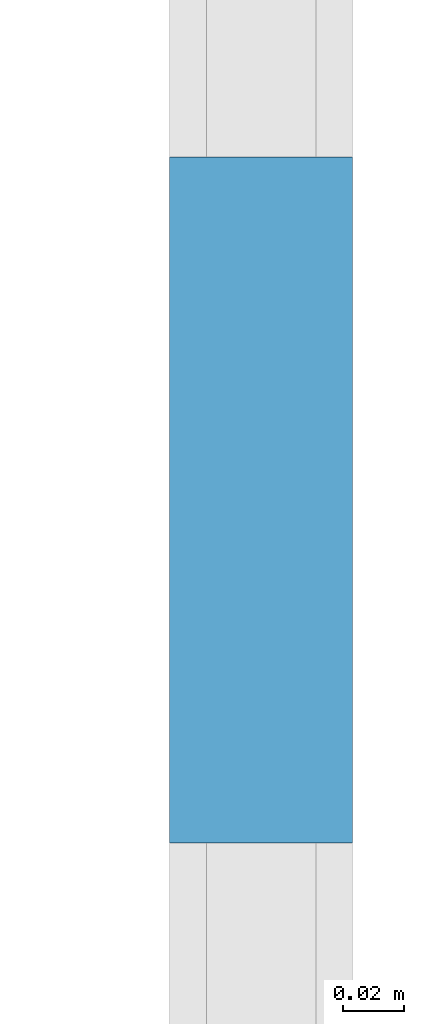
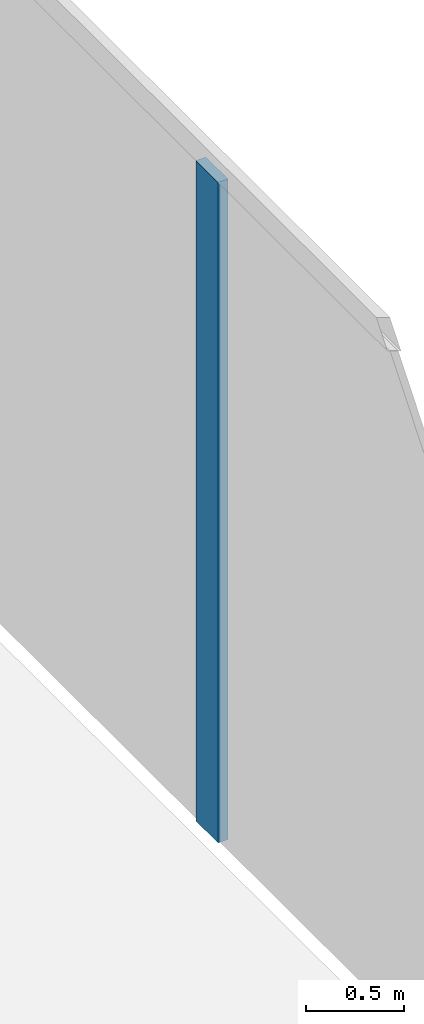
# One storey, part 19 of 47: 1 member, 1 element without a shape of its own.
"""IFC4 building model written with IfcOpenShell, lengths in metres."""

from ifc_helpers import new_model, si_unit, direction, frame, origin, origin_2d, place, context, subcontext, project, spatial, rectangle, extrude, material, layer, layer_set, material_profile, profile_set, type_object, element, aggregate, save


model = new_model("IFC4")

# Units and contexts
model_context = context("Model", 3, precision=1e-05, world=origin(), true_north=direction((0.0, 1.0)))
body_context = subcontext(model_context, "Body", "Model", "MODEL_VIEW")
ifc_project = project(units=[si_unit("LENGTHUNIT", "METRE"), si_unit("AREAUNIT", "SQUARE_METRE"), si_unit("VOLUMEUNIT", "CUBIC_METRE"), si_unit("PLANEANGLEUNIT", "RADIAN"), si_unit("MASSUNIT", "GRAM", prefix="KILO")], contexts=[model_context])

# Site, building, storey
site_placement = place(None, origin())
site = spatial("IfcSite", under=ifc_project, at=site_placement, CompositionType="ELEMENT")
building_placement = place(site_placement, origin())
building = spatial("IfcBuilding", under=site, at=building_placement, Name="Kheshtan School and Residences Tower", CompositionType="ELEMENT")
storey_placement = place(building_placement, frame((0.0, 0.0, 17.0)))
storey = spatial("IfcBuildingStorey", under=building, at=storey_placement, Name="L03", CompositionType="ELEMENT", Elevation=17.0)

# Curtain wall, member
ifc_material_1 = material(Name="Clear low-e glass in thermally broken aluminium frame", Category="aluminium")
ifc_layer = layer(ifc_material_1, 0.22509765625)
ifc_layer_set = layer_set([ifc_layer], Name="Curtain wall CW-P")
curtain_wall_type = type_object("IfcCurtainWallType", Name="Curtain wall CW-P", PredefinedType="NOTDEFINED", material=ifc_layer_set)
curtain_wall_placement = place(storey_placement, origin())
curtain_wall = element("IfcCurtainWall", 1, at=curtain_wall_placement, inside=storey, type_object=curtain_wall_type, Name="Curtain wall CWP8a", PredefinedType="NOTDEFINED")
ifc_material_2 = material(Name="Thermally broken aluminium, dark bronze anodised", Category="aluminium")
ifc_material_profile = material_profile(ifc_material_2, rectangle(XDim=0.06005859375, YDim=0.22509765625, at=origin_2d()), Name="CW-P mullion 60x225")
ifc_profile_set = profile_set([ifc_material_profile], Name="Thermally broken aluminium, dark bronze anodised")
member_type = type_object("IfcMemberType", Name="CW-P mullion 60x225", PredefinedType="MULLION", material=ifc_profile_set)
member_placement = place(storey_placement, frame((132.10009765625, 76.622314453125, 0.0), z_axis=(0.0, 0.0, 1.0), x_axis=(1.0, 0.0, 0.0)))
member = element("IfcMember", 2, at=member_placement, type_object=member_type, Name="CWP8a mullion 6", PredefinedType="MULLION", context=body_context, shape_type="SweptSolid", body=[
    extrude(rectangle(XDim=0.06005859375, YDim=0.22509765625, at=origin_2d()), origin(), (0.0, 0.0, 1.0), 4.110107421875),
])
aggregate(curtain_wall, [member])

save(model, "model.ifc")
